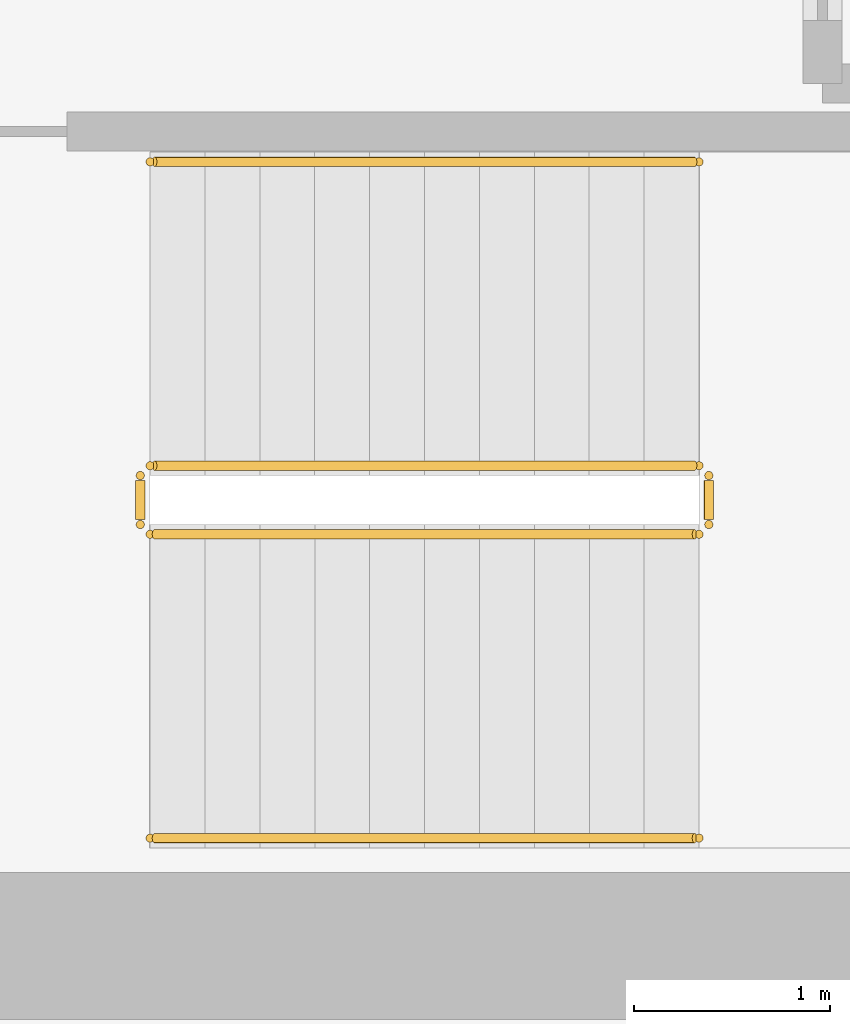
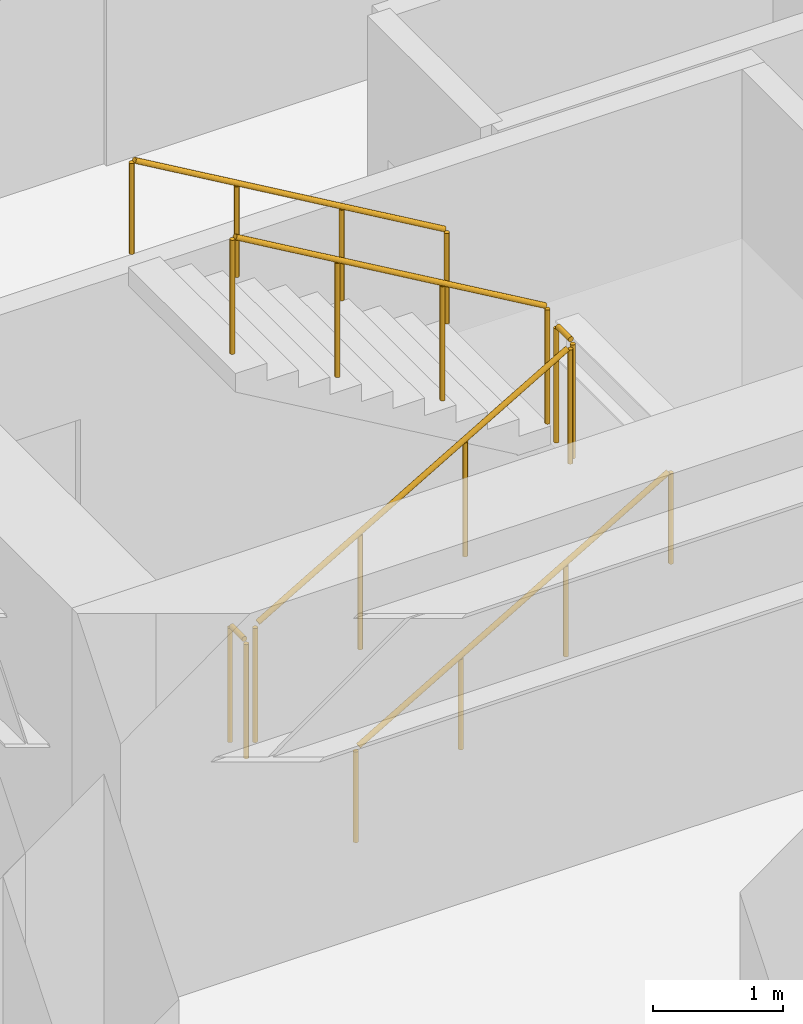
# One storey, part 14 of 14: 6 railings.
"""IFC4 building model written with IfcOpenShell, lengths in metres."""

from ifc_helpers import new_model, si_unit, direction, frame, origin, origin_2d, place, context, subcontext, project, spatial, circle, extrude, source, transform, mapped, material, layer, layer_set, type_object, element, save


model = new_model("IFC4")

# Units and contexts
model_context = context("Model", 3, precision=1e-05, world=origin(), true_north=direction((0.0, 1.0)))
body_context = subcontext(model_context, "Body", "Model", "MODEL_VIEW")
ifc_project = project(units=[si_unit("LENGTHUNIT", "METRE"), si_unit("AREAUNIT", "SQUARE_METRE"), si_unit("VOLUMEUNIT", "CUBIC_METRE"), si_unit("PLANEANGLEUNIT", "RADIAN"), si_unit("MASSUNIT", "GRAM", prefix="KILO")], contexts=[model_context])

# Site, building, storey
site_placement = place(None, origin())
site = spatial("IfcSite", under=ifc_project, at=site_placement, CompositionType="ELEMENT")
building_placement = place(site_placement, origin())
building = spatial("IfcBuilding", under=site, at=building_placement, Name="Kharzan Plaza Tower", CompositionType="ELEMENT")
storey_placement = place(building_placement, frame((0.0, 0.0, 102.60009765625)))
storey = spatial("IfcBuildingStorey", under=building, at=storey_placement, Name="L27", CompositionType="ELEMENT", Elevation=102.60009765625)

# Railings
ifc_material_1 = material(Name="Painted Galvanized Architectural Steel", Category="steel")
ifc_layer_1 = layer(ifc_material_1, 0.074951171875)
ifc_layer_set_1 = layer_set([ifc_layer_1], Name="Painted Galvanized Architectural Steel")
railing_type_1 = type_object("IfcRailingType", Name="RL-GUARD-1120", PredefinedType="BALUSTRADE", material=ifc_layer_set_1)
shared_shape_1 = source(origin(), body_context, "Body", "SweptSolid", [
    extrude(circle(Radius=0.02392578125, at=origin_2d()), frame((0.0, 0.0263671875, 1.09619140625), z_axis=(0.0, 1.0, 0.0), x_axis=(-1.0, 0.0, 0.0)), (0.0, 0.0, 1.0), 0.197021484375),
    extrude(circle(Radius=0.02099609375, at=origin_2d()), origin(), (0.0, 0.0, 1.0), 1.072021484375),
    extrude(circle(Radius=0.02099609375, at=origin_2d()), frame((0.0, 0.25, 0.0)), (0.0, 0.0, 1.0), 1.072021484375),
])
for number, where, name in (
    (1, (41.10009765625, 6.64990234375, 1.7998046875), "L27 ST-3 stair guard 2"),
    (2, (38.199951171875, 6.64990234375, 0.0), "L27 ST-3 stair guard 4"),
):
    element("IfcRailing", number, at=place(storey_placement, frame(where)), inside=storey, type_object=railing_type_1, Name=name, PredefinedType="BALUSTRADE", context=body_context, shape_type="MappedRepresentation", body=[
        mapped(shared_shape_1, transform((0.0, 0.0, 0.0), x_axis=(1.0, 0.0, 0.0), y_axis=(0.0, 1.0, 0.0), z_axis=(0.0, 0.0, 1.0))),
    ])
shared_shape_2 = source(origin(), body_context, "Body", "SweptSolid", [
    extrude(circle(Radius=0.02392578125, at=origin_2d()), frame((0.02294921875, 0.0, 1.109375), z_axis=(0.863393664356, 0.0, 0.504530851732), x_axis=(0.0, 1.0, 0.0)), (0.0, 0.0, 1.0), 3.190185546875),
    extrude(circle(Radius=0.02099609375, at=origin_2d()), origin(), (0.0, 0.0, 1.0), 1.072021484375),
    extrude(circle(Radius=0.02099609375, at=origin_2d()), frame((0.933349609375, 0.0, 0.54541015625)), (0.0, 0.0, 1.0), 1.072021484375),
    extrude(circle(Radius=0.02099609375, at=origin_2d()), frame((1.86669921875, 0.0, 1.0908203125)), (0.0, 0.0, 1.0), 1.072021484375),
    extrude(circle(Radius=0.02099609375, at=origin_2d()), frame((2.800048828125, 0.0, 1.63623046875)), (0.0, 0.0, 1.0), 1.072021484375),
])
railing_1_placement = place(storey_placement, frame((38.25, 6.60009765625, 0.16357421875)))
element("IfcRailing", 3, at=railing_1_placement, inside=storey, type_object=railing_type_1, Name="L27 ST-3 stair guard 1", PredefinedType="BALUSTRADE", context=body_context, shape_type="MappedRepresentation", body=[
    mapped(shared_shape_2, transform((0.0, 0.0, 0.0), x_axis=(1.0, 0.0, 0.0), y_axis=(0.0, 1.0, 0.0), z_axis=(0.0, 0.0, 1.0))),
])
shared_shape_3 = source(origin(), body_context, "Body", "SweptSolid", [
    extrude(circle(Radius=0.02392578125, at=origin_2d()), frame((-0.02294921875, 0.0, 1.109375), z_axis=(-0.863393664356, 0.0, 0.504530851732), x_axis=(0.0, -1.0, 0.0)), (0.0, 0.0, 1.0), 3.190185546875),
    extrude(circle(Radius=0.02099609375, at=origin_2d()), origin(), (0.0, 0.0, 1.0), 1.072021484375),
    extrude(circle(Radius=0.02099609375, at=origin_2d()), frame((-0.933349609375, 0.0, 0.54541015625)), (0.0, 0.0, 1.0), 1.072021484375),
    extrude(circle(Radius=0.02099609375, at=origin_2d()), frame((-1.86669921875, 0.0, 1.0908203125)), (0.0, 0.0, 1.0), 1.072021484375),
    extrude(circle(Radius=0.02099609375, at=origin_2d()), frame((-2.800048828125, 0.0, 1.63623046875)), (0.0, 0.0, 1.0), 1.072021484375),
])
railing_2_placement = place(storey_placement, frame((41.050048828125, 6.949951171875, 1.963623046875)))
element("IfcRailing", 4, at=railing_2_placement, inside=storey, type_object=railing_type_1, Name="L27 ST-3 stair guard 3", PredefinedType="BALUSTRADE", context=body_context, shape_type="MappedRepresentation", body=[
    mapped(shared_shape_3, transform((0.0, 0.0, 0.0), x_axis=(1.0, 0.0, 0.0), y_axis=(0.0, 1.0, 0.0), z_axis=(0.0, 0.0, 1.0))),
])
ifc_material_2 = material(Name="Brushed Stainless Steel", Category="steel")
ifc_layer_2 = layer(ifc_material_2, 0.050048828125)
ifc_layer_set_2 = layer_set([ifc_layer_2], Name="Brushed Stainless Steel")
railing_type_2 = type_object("IfcRailingType", Name="RL-STAIR-HR920", PredefinedType="HANDRAIL", material=ifc_layer_set_2)
shared_shape_4 = source(origin(), body_context, "Body", "SweptSolid", [
    extrude(circle(Radius=0.02392578125, at=origin_2d()), frame((0.02294921875, 0.0, 0.88916015625), z_axis=(0.863393664356, 0.0, 0.504530851732), x_axis=(0.0, 1.0, 0.0)), (0.0, 0.0, 1.0), 3.190185546875),
    extrude(circle(Radius=0.02099609375, at=origin_2d()), origin(), (0.0, 0.0, 1.0), 0.851806640625),
    extrude(circle(Radius=0.02099609375, at=origin_2d()), frame((0.933349609375, 0.0, 0.54541015625)), (0.0, 0.0, 1.0), 0.851806640625),
    extrude(circle(Radius=0.02099609375, at=origin_2d()), frame((1.86669921875, 0.0, 1.0908203125)), (0.0, 0.0, 1.0), 0.851806640625),
    extrude(circle(Radius=0.02099609375, at=origin_2d()), frame((2.800048828125, 0.0, 1.63623046875)), (0.0, 0.0, 1.0), 0.851806640625),
])
railing_3_placement = place(storey_placement, frame((38.25, 5.050048828125, 0.16357421875)))
element("IfcRailing", 5, at=railing_3_placement, inside=storey, type_object=railing_type_2, Name="L27 ST-3 stair handrail 1", PredefinedType="HANDRAIL", context=body_context, shape_type="MappedRepresentation", body=[
    mapped(shared_shape_4, transform((0.0, 0.0, 0.0), x_axis=(1.0, 0.0, 0.0), y_axis=(0.0, 1.0, 0.0), z_axis=(0.0, 0.0, 1.0))),
])
shared_shape_5 = source(origin(), body_context, "Body", "SweptSolid", [
    extrude(circle(Radius=0.02392578125, at=origin_2d()), frame((-0.02294921875, 0.0, 0.88916015625), z_axis=(-0.863393664356, 0.0, 0.504530851732), x_axis=(0.0, -1.0, 0.0)), (0.0, 0.0, 1.0), 3.190185546875),
    extrude(circle(Radius=0.02099609375, at=origin_2d()), origin(), (0.0, 0.0, 1.0), 0.851806640625),
    extrude(circle(Radius=0.02099609375, at=origin_2d()), frame((-0.933349609375, 0.0, 0.54541015625)), (0.0, 0.0, 1.0), 0.851806640625),
    extrude(circle(Radius=0.02099609375, at=origin_2d()), frame((-1.86669921875, 0.0, 1.0908203125)), (0.0, 0.0, 1.0), 0.851806640625),
    extrude(circle(Radius=0.02099609375, at=origin_2d()), frame((-2.800048828125, 0.0, 1.63623046875)), (0.0, 0.0, 1.0), 0.851806640625),
])
railing_4_placement = place(storey_placement, frame((41.050048828125, 8.5, 1.963623046875)))
element("IfcRailing", 6, at=railing_4_placement, inside=storey, type_object=railing_type_2, Name="L27 ST-3 stair handrail 2", PredefinedType="HANDRAIL", context=body_context, shape_type="MappedRepresentation", body=[
    mapped(shared_shape_5, transform((0.0, 0.0, 0.0), x_axis=(1.0, 0.0, 0.0), y_axis=(0.0, 1.0, 0.0), z_axis=(0.0, 0.0, 1.0))),
])

save(model, "model.ifc")
